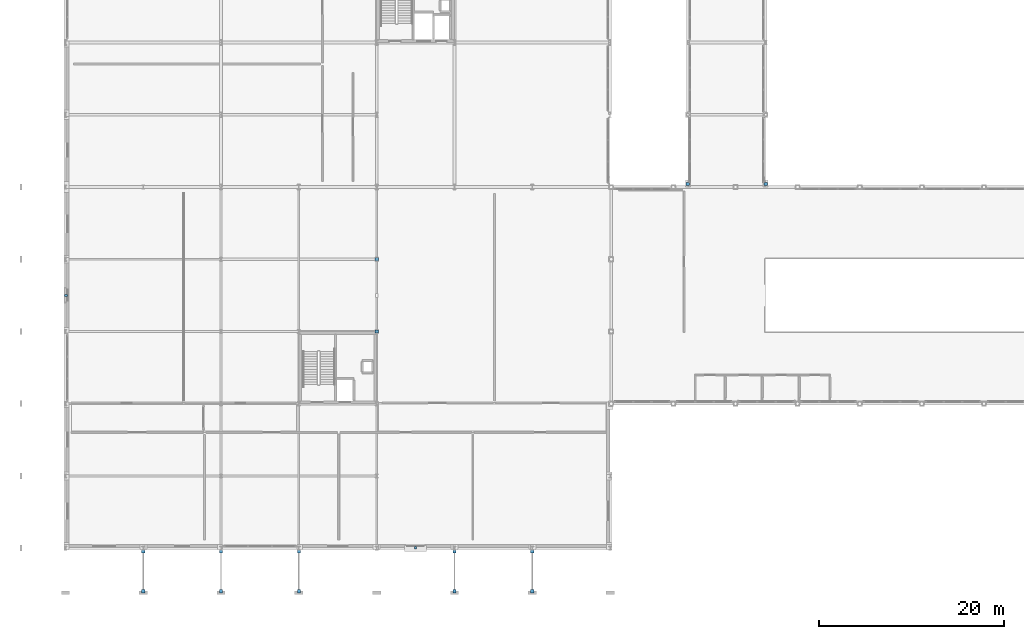
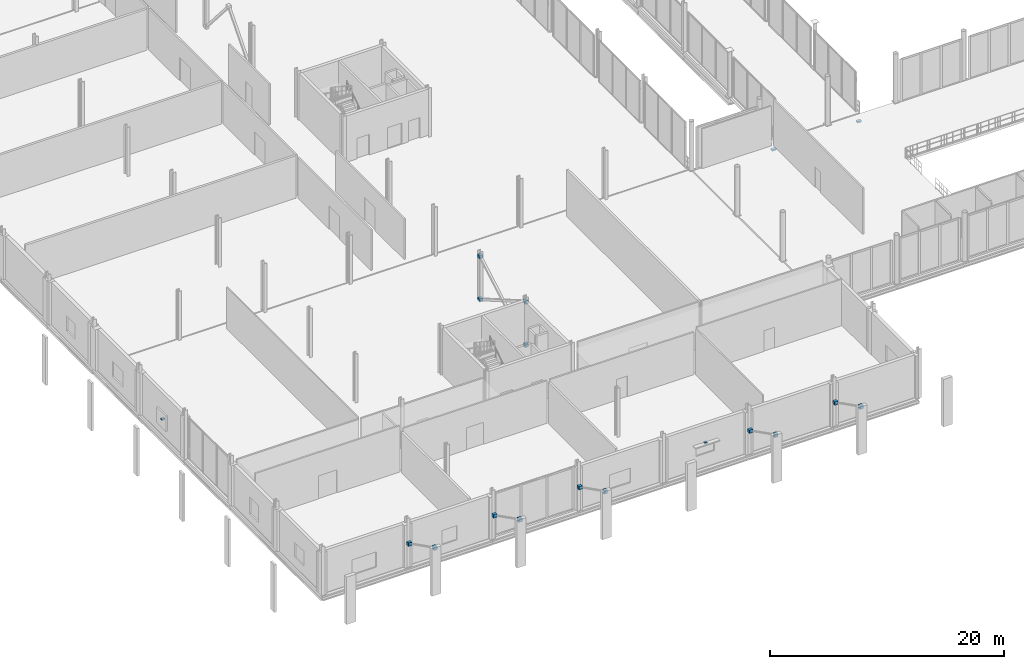
# One storey, part 88 of 105: 18 discrete accessories.
"""IFC4 building model written with IfcOpenShell, lengths in metres."""

from ifc_helpers import new_model, si_unit, direction, frame, origin, origin_2d, place, context, subcontext, project, spatial, rectangle, extrude, material, layer, layer_set, type_object, element, save


model = new_model("IFC4")

# Units and contexts
model_context = context("Model", 3, precision=1e-05, world=origin(), true_north=direction((0.0, 1.0)))
body_context = subcontext(model_context, "Body", "Model", "MODEL_VIEW")
ifc_project = project(units=[si_unit("LENGTHUNIT", "METRE"), si_unit("AREAUNIT", "SQUARE_METRE"), si_unit("VOLUMEUNIT", "CUBIC_METRE"), si_unit("PLANEANGLEUNIT", "RADIAN"), si_unit("MASSUNIT", "GRAM", prefix="KILO")], contexts=[model_context])

# Site, building, storey
site_placement = place(None, origin())
site = spatial("IfcSite", under=ifc_project, at=site_placement, CompositionType="ELEMENT")
building_placement = place(site_placement, origin())
building = spatial("IfcBuilding", under=site, at=building_placement, Name="Nabrawat Pavilion Hospital", CompositionType="ELEMENT")
storey_placement = place(building_placement, frame((0.0, 0.0, 5.10009765625)))
storey = spatial("IfcBuildingStorey", under=building, at=storey_placement, Name="L01", CompositionType="ELEMENT", Elevation=5.10009765625)

# Discrete accessories
ifc_material = material(Name="Steel S355", Category="steel")
ifc_layer_1 = layer(ifc_material, 0.02001953125, Name="Steel S355")
ifc_layer_set_1 = layer_set([ifc_layer_1], Name="Steel S355")
discrete_accessory_type_1 = type_object("IfcDiscreteAccessoryType", Name="Brace and Strut Gusset End Bracket 20", PredefinedType="BRACKET", material=ifc_layer_set_1)
for number, where, z_axis, x_axis, name in (
    (1, (33.60009765625, 23.39990234375, -0.1201171875), (0.0, 0.0, 1.0), (1.0, 0.0, 0.0), "L01 Brace and Strut Gusset End Connection 0009"),
    (2, (33.60009765625, 31.199951171875, 4.3798828125), (0.0, 0.0, 1.0), (1.0, 0.0, 0.0), "L01 Brace and Strut Gusset End Connection 0010"),
    (3, (33.60009765625, 23.39990234375, 4.3798828125), (0.0, 0.0, 1.0), (1.0, 0.0, 0.0), "L01 Brace and Strut Gusset End Connection 0011"),
    (4, (33.60009765625, 31.199951171875, -0.1201171875), (0.0, 0.0, 1.0), (1.0, 0.0, 0.0), "L01 Brace and Strut Gusset End Connection 0012"),
    (5, (8.39990234375, -0.320068359375, 2.3798828125), (0.0, 0.0, 1.0), (1.0, 0.0, 0.0), "L01 Brace and Strut Gusset End Connection 0122"),
    (6, (8.39990234375, -4.64990234375, 4.56982421875), (0.0, 0.0, 1.0), (1.0, 0.0, 0.0), "L01 Brace and Strut Gusset End Connection 0123"),
    (7, (16.800048828125, -0.320068359375, 2.3798828125), (0.0, 0.0, 1.0), (1.0, 0.0, 0.0), "L01 Brace and Strut Gusset End Connection 0126"),
    (8, (16.800048828125, -4.64990234375, 4.56982421875), (0.0, 0.0, 1.0), (1.0, 0.0, 0.0), "L01 Brace and Strut Gusset End Connection 0127"),
    (9, (25.199951171875, -0.320068359375, 2.3798828125), (0.0, 0.0, 1.0), (1.0, 0.0, 0.0), "L01 Brace and Strut Gusset End Connection 0130"),
    (10, (25.199951171875, -4.64990234375, 4.56982421875), (0.0, 0.0, 1.0), (1.0, 0.0, 0.0), "L01 Brace and Strut Gusset End Connection 0131"),
    (11, (42.0, -0.320068359375, 2.3798828125), (0.0, 0.0, 1.0), (1.0, 0.0, 0.0), "L01 Brace and Strut Gusset End Connection 0134"),
    (12, (42.0, -4.64990234375, 4.56982421875), (0.0, 0.0, 1.0), (1.0, 0.0, 0.0), "L01 Brace and Strut Gusset End Connection 0135"),
    (13, (50.39990234375, -0.320068359375, 2.3798828125), (0.0, 0.0, 1.0), (1.0, 0.0, 0.0), "L01 Brace and Strut Gusset End Connection 0138"),
    (14, (50.39990234375, -4.64990234375, 4.56982421875), (0.0, 0.0, 1.0), (1.0, 0.0, 0.0), "L01 Brace and Strut Gusset End Connection 0139"),
):
    element("IfcDiscreteAccessory", number, at=place(storey_placement, frame(where, z_axis=z_axis, x_axis=x_axis)), inside=storey, type_object=discrete_accessory_type_1, Name=name, PredefinedType="BRACKET", context=body_context, shape_type="SweptSolid", body=[
        extrude(rectangle(XDim=0.340087890625, YDim=0.340087890625, at=origin_2d()), origin(), (0.0, 0.0, 1.0), 0.340087890625),
    ])
ifc_layer_2 = layer(ifc_material, 0.159912109375, Name="Steel S355")
ifc_layer_set_2 = layer_set([ifc_layer_2], Name="Steel S355")
discrete_accessory_type_2 = type_object("IfcDiscreteAccessoryType", Name="Facade Shading Support Steel Bracket", PredefinedType="BRACKET", material=ifc_layer_set_2)
for number, where, z_axis, x_axis, name in (
    (15, (0.054931640625, 27.300048828125, 1.6201171875), (0.0, 0.0, 1.0), (0.0, 1.0, 0.0), "L01 Facade Shading Bracket 008"),
    (16, (37.800048828125, 0.054931640625, 2.4697265625), (0.0, 0.0, 1.0), (1.0, 0.0, 0.0), "L01 Facade Shading Bracket 009"),
):
    element("IfcDiscreteAccessory", number, at=place(storey_placement, frame(where, z_axis=z_axis, x_axis=x_axis)), inside=storey, type_object=discrete_accessory_type_2, Name=name, PredefinedType="BRACKET", context=body_context, shape_type="SweptSolid", body=[
        extrude(rectangle(XDim=0.239990234375, YDim=0.280029296875, at=origin_2d()), origin(), (0.0, 0.0, 1.0), 0.159912109375),
    ])
ifc_layer_3 = layer(ifc_material, 0.139892578125, Name="Steel S355")
ifc_layer_set_3 = layer_set([ifc_layer_3], Name="Steel S355")
discrete_accessory_type_3 = type_object("IfcDiscreteAccessoryType", Name="PTFE Elastomeric Bridge Sliding Bearing", PredefinedType="BRACKET", material=ifc_layer_set_3)
for number, where, z_axis, x_axis, name in (
    (17, (67.199951171875, 39.320068359375, -1.080078125), (0.0, 0.0, 1.0), (1.0, 0.0, 0.0), "L01 Courtyard Link Bridge PTFE Sliding Bearing S 01"),
    (18, (75.60009765625, 39.320068359375, -1.080078125), (0.0, 0.0, 1.0), (1.0, 0.0, 0.0), "L01 Courtyard Link Bridge PTFE Sliding Bearing S 03"),
):
    element("IfcDiscreteAccessory", number, at=place(storey_placement, frame(where, z_axis=z_axis, x_axis=x_axis)), inside=storey, type_object=discrete_accessory_type_3, Name=name, PredefinedType="BRACKET", context=body_context, shape_type="SweptSolid", body=[
        extrude(rectangle(XDim=0.39990234375, YDim=0.300048828125, at=origin_2d()), origin(), (0.0, 0.0, 1.0), 0.139892578125),
    ])

save(model, "model.ifc")
